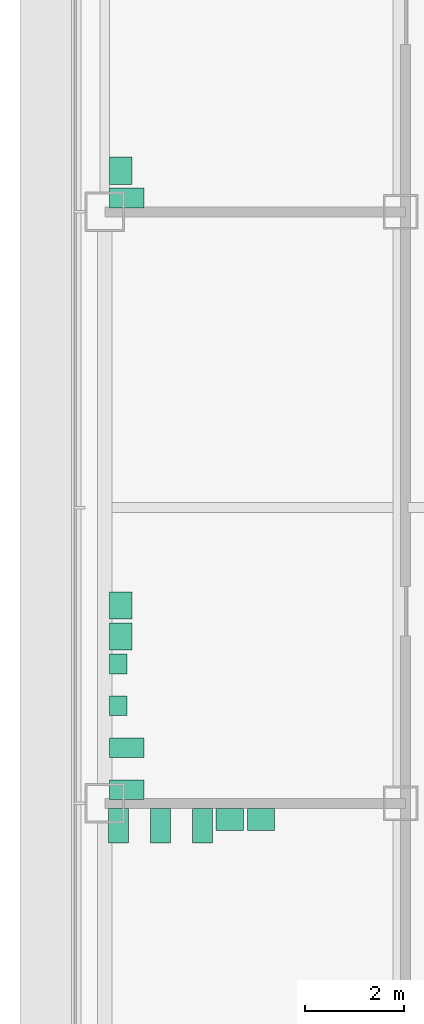
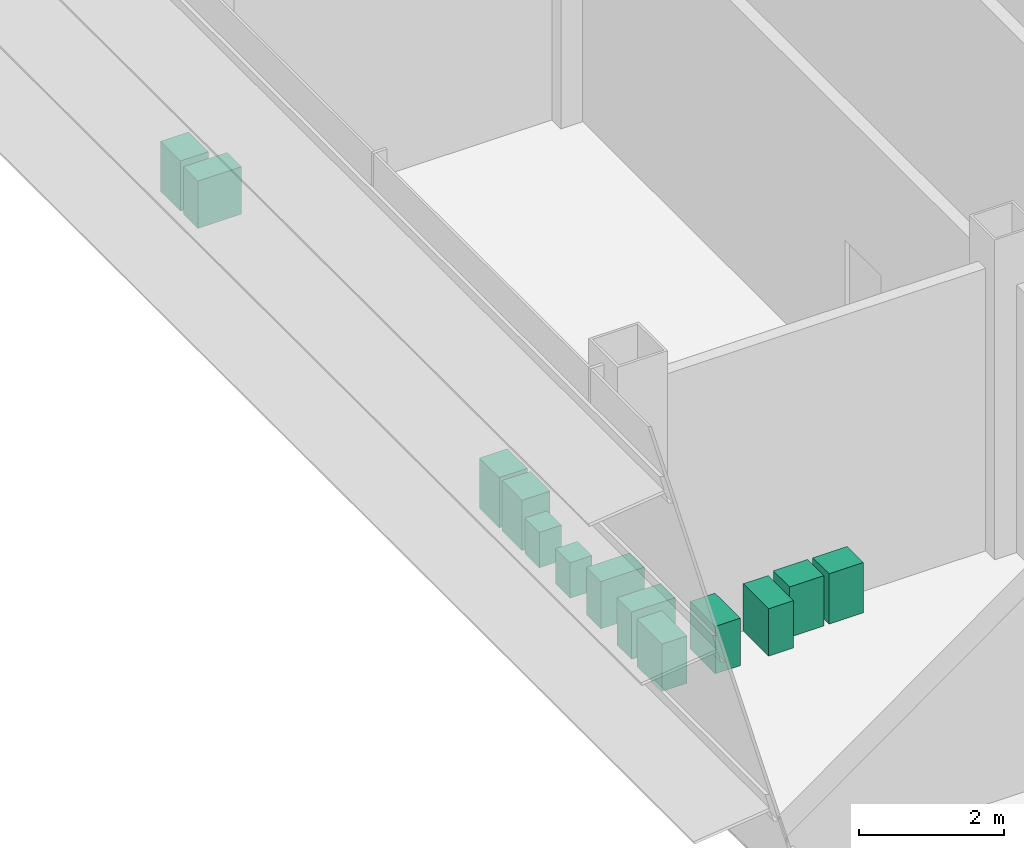
# One storey, part 23 of 23: 13 sanitary terminals.
"""IFC4 building model written with IfcOpenShell, lengths in metres."""

from ifc_helpers import new_model, si_unit, direction, frame, origin, origin_2d, place, context, subcontext, project, spatial, rectangle, extrude, element, save


model = new_model("IFC4")

# Units and contexts
model_context = context("Model", 3, precision=1e-05, world=origin(), true_north=direction((0.0, 1.0)))
body_context = subcontext(model_context, "Body", "Model", "MODEL_VIEW")
ifc_project = project(units=[si_unit("LENGTHUNIT", "METRE"), si_unit("AREAUNIT", "SQUARE_METRE"), si_unit("VOLUMEUNIT", "CUBIC_METRE"), si_unit("PLANEANGLEUNIT", "RADIAN"), si_unit("MASSUNIT", "GRAM", prefix="KILO")], contexts=[model_context])

# Site, building, storey
site_placement = place(None, origin())
site = spatial("IfcSite", under=ifc_project, at=site_placement, CompositionType="ELEMENT")
building_placement = place(site_placement, origin())
building = spatial("IfcBuilding", under=site, at=building_placement, Name="Sorahane Residences", CompositionType="ELEMENT")
storey_placement = place(building_placement, frame((0.0, 0.0, 114.199951171875)))
storey = spatial("IfcBuildingStorey", under=building, at=storey_placement, Name="L25", CompositionType="ELEMENT", Elevation=114.199951171875)

# Sanitary terminals
for number, where, z_axis, x_axis, name in (
    (1, (-5.719970703125, 23.550048828125, 0.0), (0.0, 0.0, 1.0), (1.0, 0.0, 0.0), "WC pan Women's toilets 25"),
    (2, (-4.8701171875, 23.550048828125, 0.0), (0.0, 0.0, 1.0), (1.0, 0.0, 0.0), "WC pan Women's toilets 25"),
    (3, (-4.02001953125, 23.550048828125, 0.0), (0.0, 0.0, 1.0), (1.0, 0.0, 0.0), "WC pan Women's toilets 25"),
):
    element("IfcSanitaryTerminal", number, at=place(storey_placement, frame(where, z_axis=z_axis, x_axis=x_axis)), inside=storey, Name=name, PredefinedType="TOILETPAN", context=body_context, shape_type="SweptSolid", body=[
        extrude(rectangle(XDim=0.39990234375, YDim=0.699951171875, at=origin_2d()), origin(), (0.0, 0.0, 1.0), 0.800048828125),
    ])
for number, where, z_axis, x_axis, name in (
    (4, (-3.465087890625, 23.675048828125, 0.0), (0.0, 0.0, 1.0), (1.0, 0.0, 0.0), "Wash basin Women's toilets 25"),
    (5, (-2.8349609375, 23.675048828125, 0.0), (0.0, 0.0, 1.0), (1.0, 0.0, 0.0), "Wash basin Women's toilets 25"),
):
    element("IfcSanitaryTerminal", number, at=place(storey_placement, frame(where, z_axis=z_axis, x_axis=x_axis)), inside=storey, Name=name, PredefinedType="WASHHANDBASIN", context=body_context, shape_type="SweptSolid", body=[
        extrude(rectangle(XDim=0.550048828125, YDim=0.449951171875, at=origin_2d()), origin(), (0.0, 0.0, 1.0), 0.85009765625),
    ])
for number, where, z_axis, x_axis, name in (
    (6, (-5.550048828125, 24.280029296875, 0.0), (0.0, 0.0, 1.0), (0.0, 1.0, 0.0), "WC pan Men's toilets 25"),
    (7, (-5.550048828125, 25.1298828125, 0.0), (0.0, 0.0, 1.0), (0.0, 1.0, 0.0), "WC pan Men's toilets 25"),
):
    element("IfcSanitaryTerminal", number, at=place(storey_placement, frame(where, z_axis=z_axis, x_axis=x_axis)), inside=storey, Name=name, PredefinedType="TOILETPAN", context=body_context, shape_type="SweptSolid", body=[
        extrude(rectangle(XDim=0.39990234375, YDim=0.699951171875, at=origin_2d()), origin(), (0.0, 0.0, 1.0), 0.800048828125),
    ])
for number, where, z_axis, x_axis, name in (
    (8, (-5.72509765625, 25.97998046875, 0.0), (0.0, 0.0, 1.0), (0.0, 1.0, 0.0), "Urinal Men's toilets 25"),
    (9, (-5.72509765625, 26.830078125, 0.0), (0.0, 0.0, 1.0), (0.0, 1.0, 0.0), "Urinal Men's toilets 25"),
):
    element("IfcSanitaryTerminal", number, at=place(storey_placement, frame(where, z_axis=z_axis, x_axis=x_axis)), inside=storey, Name=name, PredefinedType="URINAL", context=body_context, shape_type="SweptSolid", body=[
        extrude(rectangle(XDim=0.39990234375, YDim=0.35009765625, at=origin_2d()), origin(), (0.0, 0.0, 1.0), 0.60009765625),
    ])
for number, where, z_axis, x_axis, name in (
    (10, (-5.675048828125, 27.385009765625, 0.0), (0.0, 0.0, 1.0), (0.0, 1.0, 0.0), "Wash basin Men's toilets 25"),
    (11, (-5.675048828125, 28.014892578125, 0.0), (0.0, 0.0, 1.0), (0.0, 1.0, 0.0), "Wash basin Men's toilets 25"),
):
    element("IfcSanitaryTerminal", number, at=place(storey_placement, frame(where, z_axis=z_axis, x_axis=x_axis)), inside=storey, Name=name, PredefinedType="WASHHANDBASIN", context=body_context, shape_type="SweptSolid", body=[
        extrude(rectangle(XDim=0.550048828125, YDim=0.449951171875, at=origin_2d()), origin(), (0.0, 0.0, 1.0), 0.85009765625),
    ])
sanitary_terminal_1_placement = place(storey_placement, frame((-5.550048828125, 36.280029296875, 0.0), z_axis=(0.0, 0.0, 1.0), x_axis=(0.0, 1.0, 0.0)))
element("IfcSanitaryTerminal", 12, at=sanitary_terminal_1_placement, inside=storey, Name="WC pan Accessible toilets 25", PredefinedType="TOILETPAN", context=body_context, shape_type="SweptSolid", body=[
    extrude(rectangle(XDim=0.39990234375, YDim=0.699951171875, at=origin_2d()), origin(), (0.0, 0.0, 1.0), 0.800048828125),
])
sanitary_terminal_2_placement = place(storey_placement, frame((-5.675048828125, 36.8349609375, 0.0), z_axis=(0.0, 0.0, 1.0), x_axis=(0.0, 1.0, 0.0)))
element("IfcSanitaryTerminal", 13, at=sanitary_terminal_2_placement, inside=storey, Name="Wash basin Accessible toilets 25", PredefinedType="WASHHANDBASIN", context=body_context, shape_type="SweptSolid", body=[
    extrude(rectangle(XDim=0.550048828125, YDim=0.449951171875, at=origin_2d()), origin(), (0.0, 0.0, 1.0), 0.85009765625),
])

save(model, "model.ifc")
